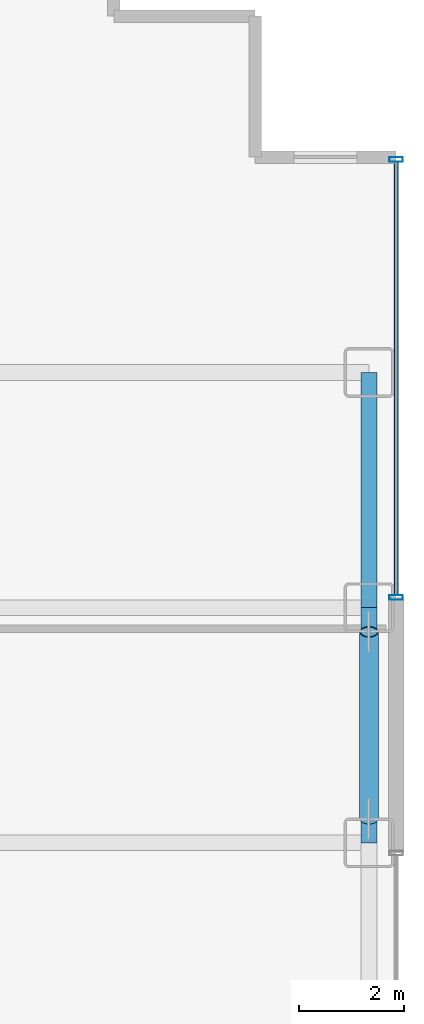
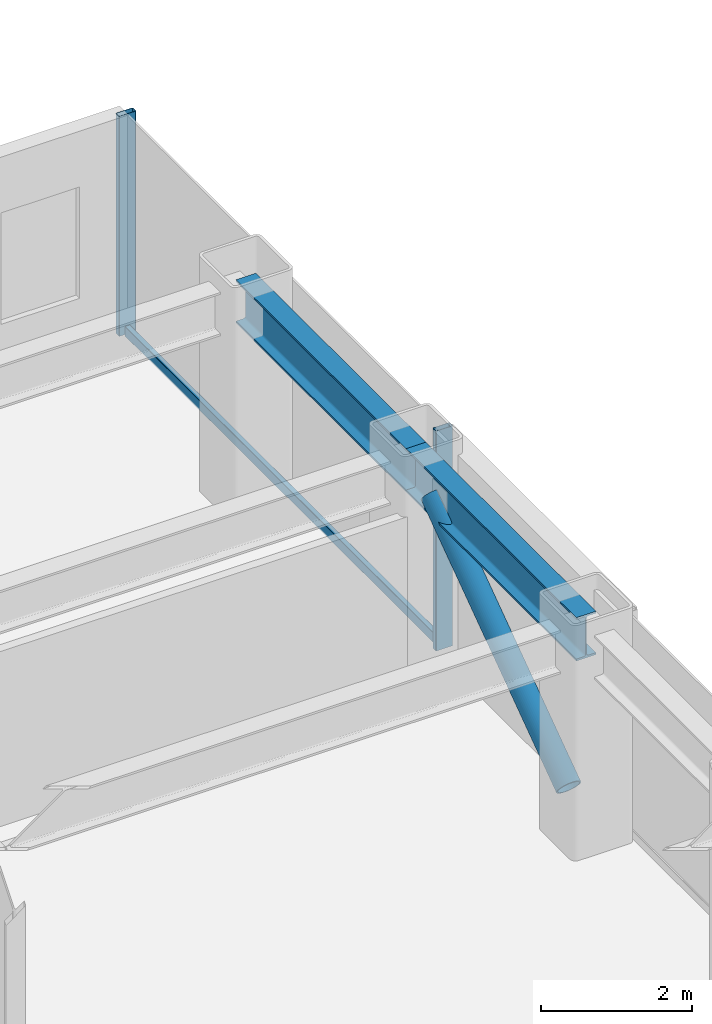
# One storey, part 19 of 29: 4 members, 2 beams, 1 element without a shape of its own.
"""IFC4 building model written with IfcOpenShell, lengths in metres."""

from ifc_helpers import new_model, si_unit, direction, frame, origin, origin_2d, place, context, subcontext, project, spatial, hollow_rectangle, hollow_circle, i_section, extrude, source, transform, mapped, material, layer, layer_set, material_profile, profile_set, type_object, element, aggregate, save


model = new_model("IFC4")

# Units and contexts
model_context = context("Model", 3, precision=1e-05, world=origin(), true_north=direction((0.0, 1.0)))
body_context = subcontext(model_context, "Body", "Model", "MODEL_VIEW")
ifc_project = project(units=[si_unit("LENGTHUNIT", "METRE"), si_unit("AREAUNIT", "SQUARE_METRE"), si_unit("VOLUMEUNIT", "CUBIC_METRE"), si_unit("PLANEANGLEUNIT", "RADIAN"), si_unit("MASSUNIT", "GRAM", prefix="KILO")], contexts=[model_context])

# Site, building, storey
site_placement = place(None, origin())
site = spatial("IfcSite", under=ifc_project, at=site_placement, CompositionType="ELEMENT")
building_placement = place(site_placement, origin())
building = spatial("IfcBuilding", under=site, at=building_placement, Name="Nefas-Gora Pilgrimage Tower", CompositionType="ELEMENT")
storey_placement = place(building_placement, frame((0.0, 0.0, 67.199951171875)))
storey = spatial("IfcBuildingStorey", under=building, at=storey_placement, Name="L15", CompositionType="ELEMENT", Elevation=67.199951171875)

# Beams
ifc_material_1 = material(Name="Steel S355", Category="steel")
ifc_material_profile_1 = material_profile(ifc_material_1, i_section(OverallWidth=0.300048828125, OverallDepth=0.699951171875, WebThickness=0.01708984375, FlangeThickness=0.031982421875, FilletRadius=0.027099609375, at=origin_2d()), Name="HEB 700")
ifc_profile_set_1 = profile_set([ifc_material_profile_1], Name="Steel S355")
beam_type = type_object("IfcBeamType", Name="BM-SPN-HEB600", PredefinedType="SPANDREL", material=ifc_profile_set_1)
shared_shape_1 = source(origin(), body_context, "Body", "SweptSolid", [
    extrude(i_section(OverallWidth=0.300048828125, OverallDepth=0.699951171875, WebThickness=0.01708984375, FlangeThickness=0.031982421875, FilletRadius=0.027099609375, at=origin_2d()), origin(), (0.0, 0.0, 1.0), 4.5),
])
for number, where, z_axis, x_axis, name in (
    (1, (33.75, 4.5, 3.199951171875), (0.0, 1.0, 0.0), (-1.0, 0.0, 0.0), "L15 SP-01 beam"),
    (2, (33.75, 9.0, 3.199951171875), (0.0, 1.0, 0.0), (-1.0, 0.0, 0.0), "L15 SP-01 beam"),
):
    element("IfcBeam", number, at=place(storey_placement, frame(where, z_axis=z_axis, x_axis=x_axis)), inside=storey, type_object=beam_type, Name=name, PredefinedType="SPANDREL", context=body_context, shape_type="MappedRepresentation", body=[
        mapped(shared_shape_1, transform((0.0, 0.0, 0.0), x_axis=(1.0, 0.0, 0.0), y_axis=(0.0, 1.0, 0.0), z_axis=(0.0, 0.0, 1.0), scale=1.0)),
    ])

# Member
ifc_material_2 = material(Name="Steel S460", Category="steel")
ifc_material_profile_2 = material_profile(ifc_material_2, hollow_circle(Radius=0.177734375, WallThickness=0.02001953125, at=origin_2d()), Name="CHS 355.6x20")
ifc_profile_set_2 = profile_set([ifc_material_profile_2], Name="Steel S460")
member_type_1 = type_object("IfcMemberType", Name="MEM-TUBE-356", PredefinedType="BRACE", material=ifc_profile_set_2)
shared_shape_2 = source(origin(), body_context, "Body", "SweptSolid", [
    extrude(hollow_circle(Radius=0.177734375, WallThickness=0.02001953125, at=origin_2d()), origin(), (0.0, 0.0, 1.0), 4.39501953125),
])
member_1_placement = place(storey_placement, frame((33.75, 4.962890625, 0.4814453125), z_axis=(0.0, 0.813264026864, 0.581894855287), x_axis=(-1.0, 0.0, 0.0)))
element("IfcMember", 3, at=member_1_placement, inside=storey, type_object=member_type_1, Name="L15 Perimeter Tube Diagonal Brace E2", PredefinedType="BRACE", context=body_context, shape_type="MappedRepresentation", body=[
    mapped(shared_shape_2, transform((0.0, 0.0, 0.0), x_axis=(1.0, 0.0, 0.0), y_axis=(0.0, 1.0, 0.0), z_axis=(0.0, 0.0, 1.0), scale=1.0)),
])

# Curtain wall, members
ifc_material_3 = material(Name="Dark ceramic-fritted solar-control aluminium-glass curtain wall", Category="aluminium")
ifc_layer = layer(ifc_material_3, 0.219970703125)
ifc_layer_set = layer_set([ifc_layer], Name="Dark ceramic-fritted solar-control aluminium-glass curtain wall")
curtain_wall_type = type_object("IfcCurtainWallType", Name="CW-SYS-2", PredefinedType="NOTDEFINED", material=ifc_layer_set)
curtain_wall_placement = place(storey_placement, origin())
curtain_wall = element("IfcCurtainWall", 4, at=curtain_wall_placement, inside=storey, type_object=curtain_wall_type, Name="L15 Unitised Curtain Wall CW2", PredefinedType="NOTDEFINED")
ifc_material_4 = material(Name="Anodised architectural aluminium", Category="aluminium")
ifc_material_profile_3 = material_profile(ifc_material_4, hollow_rectangle(XDim=0.090087890625, YDim=0.260009765625, WallThickness=0.006103515625, InnerFilletRadius=0.006103515625, OuterFilletRadius=0.011962890625, at=origin_2d()), Name="ALU MULLION 90x260")
ifc_profile_set_3 = profile_set([ifc_material_profile_3], Name="Anodised architectural aluminium")
member_type_2 = type_object("IfcMemberType", Name="CWM-MUL-2", PredefinedType="MULLION", material=ifc_profile_set_3)
shared_shape_3 = source(origin(), body_context, "Body", "SweptSolid", [
    extrude(hollow_rectangle(XDim=0.090087890625, YDim=0.260009765625, WallThickness=0.006103515625, InnerFilletRadius=0.006103515625, OuterFilletRadius=0.011962890625, at=origin_2d()), origin(), (0.0, 0.0, 1.0), 3.550048828125),
])
member_2_placement = place(storey_placement, frame((34.27001953125, 9.195068359375, 0.0), z_axis=(0.0, 0.0, 1.0), x_axis=(0.0, 1.0, 0.0)))
member_2 = element("IfcMember", 5, at=member_2_placement, type_object=member_type_2, Name="CW2 Mullion 1", PredefinedType="MULLION", context=body_context, shape_type="MappedRepresentation", body=[
    mapped(shared_shape_3, transform((0.0, 0.0, 0.0), x_axis=(1.0, 0.0, 0.0), y_axis=(0.0, 1.0, 0.0), z_axis=(0.0, 0.0, 1.0), scale=1.0)),
])
member_3_placement = place(storey_placement, frame((34.27001953125, 17.574951171875, 0.0), z_axis=(0.0, 0.0, 1.0), x_axis=(0.0, 1.0, 0.0)))
member_3 = element("IfcMember", 6, at=member_3_placement, type_object=member_type_2, Name="CW2 Mullion 2", PredefinedType="MULLION", context=body_context, shape_type="MappedRepresentation", body=[
    mapped(shared_shape_3, transform((0.0, 0.0, 0.0), x_axis=(1.0, 0.0, 0.0), y_axis=(0.0, 1.0, 0.0), z_axis=(0.0, 0.0, 1.0), scale=1.0)),
])
ifc_material_profile_4 = material_profile(ifc_material_4, hollow_rectangle(XDim=0.080078125, YDim=0.159912109375, WallThickness=0.00439453125, InnerFilletRadius=0.00439453125, OuterFilletRadius=0.009033203125, at=origin_2d()), Name="ALU TRANSOM 80x160")
ifc_profile_set_4 = profile_set([ifc_material_profile_4], Name="Anodised architectural aluminium")
member_type_3 = type_object("IfcMemberType", Name="CWM-TRN-2", PredefinedType="USERDEFINED", material=ifc_profile_set_4)
shared_shape_4 = source(origin(), body_context, "Body", "SweptSolid", [
    extrude(hollow_rectangle(XDim=0.080078125, YDim=0.159912109375, WallThickness=0.00439453125, InnerFilletRadius=0.00439453125, OuterFilletRadius=0.009033203125, at=origin_2d()), origin(), (0.0, 0.0, 1.0), 8.2900390625),
])
member_4_placement = place(storey_placement, frame((34.27001953125, 9.239990234375, 0.050048828125), z_axis=(0.0, 1.0, 0.0), x_axis=(-1.0, 0.0, 0.0)))
member_4 = element("IfcMember", 7, at=member_4_placement, type_object=member_type_3, Name="CW2 Spandrel Transom", ObjectType="TRANSOM", PredefinedType="USERDEFINED", context=body_context, shape_type="MappedRepresentation", body=[
    mapped(shared_shape_4, transform((0.0, 0.0, 0.0), x_axis=(1.0, 0.0, 0.0), y_axis=(0.0, 1.0, 0.0), z_axis=(0.0, 0.0, 1.0), scale=1.0)),
])
aggregate(curtain_wall, [member_2, member_3, member_4])

save(model, "model.ifc")
